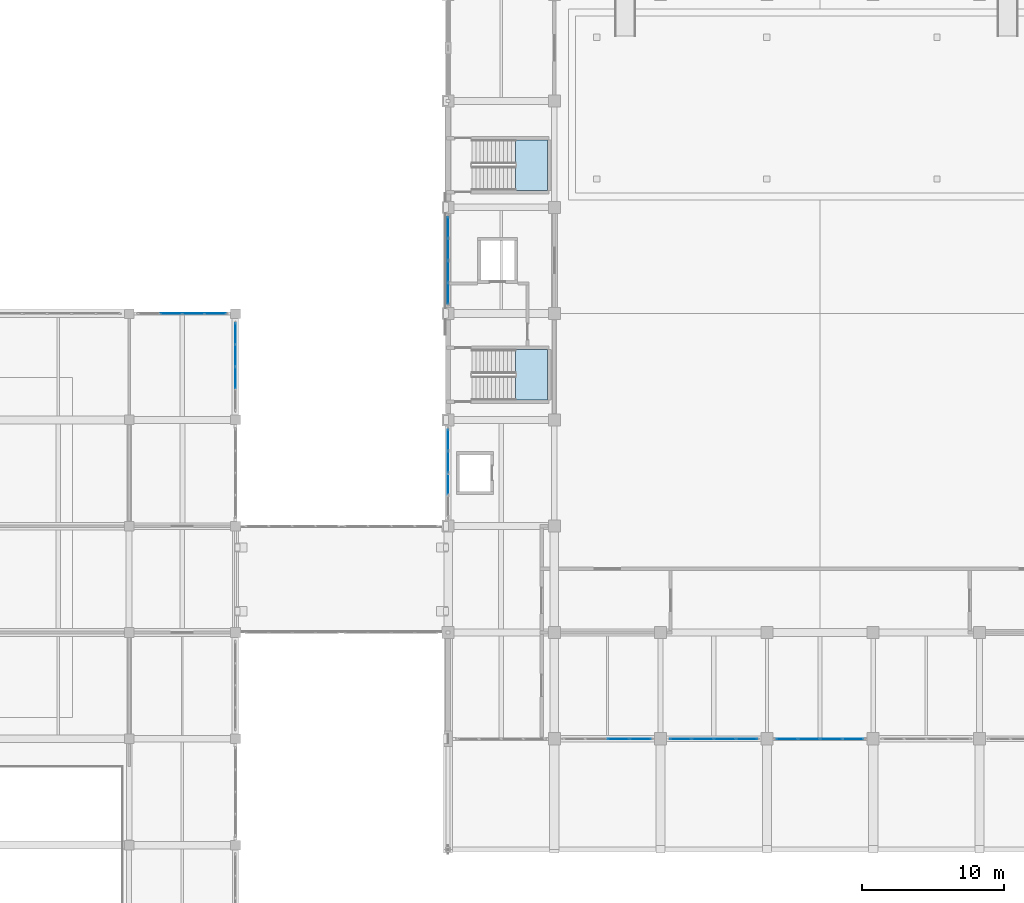
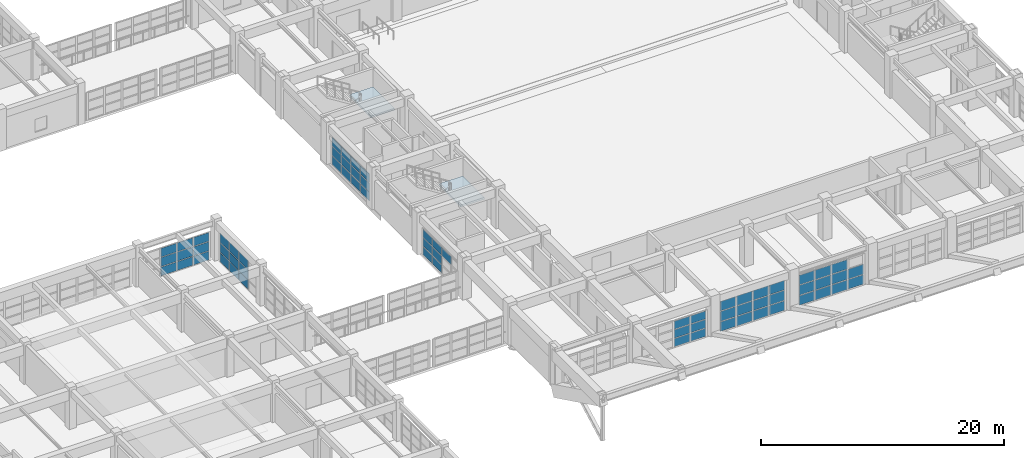
# One storey, part 85 of 132: 66 plates, 2 slabs, 9 elements without a shape of their own.
"""IFC4 building model written with IfcOpenShell, lengths in metres."""

from ifc_helpers import new_model, si_unit, direction, frame, origin, origin_2d, place, context, subcontext, project, spatial, polyline, rectangle, outline, extrude, material, layer, layer_set, type_object, element, aggregate, save


model = new_model("IFC4")

# Units and contexts
model_context = context("Model", 3, precision=1e-05, world=origin(), true_north=direction((0.0, 1.0)))
body_context = subcontext(model_context, "Body", "Model", "MODEL_VIEW")
ifc_project = project(units=[si_unit("LENGTHUNIT", "METRE"), si_unit("AREAUNIT", "SQUARE_METRE"), si_unit("VOLUMEUNIT", "CUBIC_METRE"), si_unit("PLANEANGLEUNIT", "RADIAN"), si_unit("MASSUNIT", "GRAM", prefix="KILO")], contexts=[model_context])

# Site, building, storey
site_placement = place(None, origin())
site = spatial("IfcSite", under=ifc_project, at=site_placement, CompositionType="ELEMENT")
building_placement = place(site_placement, origin())
building = spatial("IfcBuilding", under=site, at=building_placement, Name="Qasida Concert Hall", CompositionType="ELEMENT")
storey_placement = place(building_placement, frame((0.0, 0.0, 4.800048828125)))
storey = spatial("IfcBuildingStorey", under=building, at=storey_placement, Name="L01", CompositionType="ELEMENT", Elevation=4.800048828125)

# Curtain wall, plates
ifc_material_1 = material(Name="Architectural bronze-anodized aluminium and low-E glass", Category="aluminium")
curtain_wall_type_1 = type_object("IfcCurtainWallType", Name="CW-02", PredefinedType="NOTDEFINED", material=ifc_material_1)
curtain_wall_1_placement = place(storey_placement, origin())
curtain_wall_1 = element("IfcCurtainWall", 1, at=curtain_wall_1_placement, inside=storey, type_object=curtain_wall_type_1, Name="L01 curtain wall CW-02 0002", PredefinedType="NOTDEFINED")
ifc_material_2 = material(Name="Solar-control low-E double glazing", Category="glass")
ifc_layer_1 = layer(ifc_material_2, 0.035888671875, Name="Solar-control low-E double glazing")
ifc_layer_set_1 = layer_set([ifc_layer_1], Name="Solar-control low-E double glazing")
plate_type_1 = type_object("IfcPlateType", Name="PLT-CWP-1", PredefinedType="CURTAIN_PANEL", material=ifc_layer_set_1)
plate_1_placement = place(storey_placement, frame((64.532470703125, 22.5, 0.06494140625), z_axis=(0.0, 0.0, 1.0), x_axis=(1.0, 0.0, 0.0)))
plate_1 = element("IfcPlate", 2, at=plate_1_placement, type_object=plate_type_1, Name="CW-02 panel 3.1", PredefinedType="CURTAIN_PANEL", context=body_context, shape_type="SweptSolid", body=[
    extrude(rectangle(XDim=1.4951171875, YDim=0.035888671875, at=origin_2d()), origin(), (0.0, 0.0, 1.0), 0.79931640625),
])
plate_2_placement = place(storey_placement, frame((64.532470703125, 22.5, 0.92919921875), z_axis=(0.0, 0.0, 1.0), x_axis=(1.0, 0.0, 0.0)))
plate_2 = element("IfcPlate", 3, at=plate_2_placement, type_object=plate_type_1, Name="CW-02 panel 3.2", PredefinedType="CURTAIN_PANEL", context=body_context, shape_type="SweptSolid", body=[
    extrude(rectangle(XDim=1.4951171875, YDim=0.035888671875, at=origin_2d()), origin(), (0.0, 0.0, 1.0), 0.83154296875),
])
plate_3_placement = place(storey_placement, frame((64.532470703125, 22.5, 1.82568359375), z_axis=(0.0, 0.0, 1.0), x_axis=(1.0, 0.0, 0.0)))
plate_3 = element("IfcPlate", 4, at=plate_3_placement, type_object=plate_type_1, Name="CW-02 panel 3.3", PredefinedType="CURTAIN_PANEL", context=body_context, shape_type="SweptSolid", body=[
    extrude(rectangle(XDim=1.4951171875, YDim=0.035888671875, at=origin_2d()), origin(), (0.0, 0.0, 1.0), 0.79931640625),
])
plate_4_placement = place(storey_placement, frame((66.080078125, 22.5, 0.06494140625), z_axis=(0.0, 0.0, 1.0), x_axis=(1.0, 0.0, 0.0)))
plate_4 = element("IfcPlate", 5, at=plate_4_placement, type_object=plate_type_1, Name="CW-02 panel 4.1", PredefinedType="CURTAIN_PANEL", context=body_context, shape_type="SweptSolid", body=[
    extrude(rectangle(XDim=1.4599609375, YDim=0.035888671875, at=origin_2d()), origin(), (0.0, 0.0, 1.0), 0.79931640625),
])
plate_5_placement = place(storey_placement, frame((66.080078125, 22.5, 0.92919921875), z_axis=(0.0, 0.0, 1.0), x_axis=(1.0, 0.0, 0.0)))
plate_5 = element("IfcPlate", 6, at=plate_5_placement, type_object=plate_type_1, Name="CW-02 panel 4.2", PredefinedType="CURTAIN_PANEL", context=body_context, shape_type="SweptSolid", body=[
    extrude(rectangle(XDim=1.4599609375, YDim=0.035888671875, at=origin_2d()), origin(), (0.0, 0.0, 1.0), 0.83154296875),
])
plate_6_placement = place(storey_placement, frame((66.080078125, 22.5, 1.82568359375), z_axis=(0.0, 0.0, 1.0), x_axis=(1.0, 0.0, 0.0)))
plate_6 = element("IfcPlate", 7, at=plate_6_placement, type_object=plate_type_1, Name="CW-02 panel 4.3", PredefinedType="CURTAIN_PANEL", context=body_context, shape_type="SweptSolid", body=[
    extrude(rectangle(XDim=1.4599609375, YDim=0.035888671875, at=origin_2d()), origin(), (0.0, 0.0, 1.0), 0.79931640625),
])
aggregate(curtain_wall_1, [plate_1, plate_2, plate_3, plate_4, plate_5, plate_6])

curtain_wall_2_placement = place(storey_placement, origin())
curtain_wall_2 = element("IfcCurtainWall", 8, at=curtain_wall_2_placement, inside=storey, type_object=curtain_wall_type_1, Name="L01 curtain wall CW-02 0003", PredefinedType="NOTDEFINED")
plate_7_placement = place(storey_placement, frame((68.919921875, 22.5, 0.06494140625), z_axis=(0.0, 0.0, 1.0), x_axis=(1.0, 0.0, 0.0)))
plate_7 = element("IfcPlate", 9, at=plate_7_placement, type_object=plate_type_1, Name="CW-02 panel 1.1", PredefinedType="CURTAIN_PANEL", context=body_context, shape_type="SweptSolid", body=[
    extrude(rectangle(XDim=1.4599609375, YDim=0.035888671875, at=origin_2d()), origin(), (0.0, 0.0, 1.0), 0.94921875),
])
plate_8_placement = place(storey_placement, frame((68.919921875, 22.5, 1.0791015625), z_axis=(0.0, 0.0, 1.0), x_axis=(1.0, 0.0, 0.0)))
plate_8 = element("IfcPlate", 10, at=plate_8_placement, type_object=plate_type_1, Name="CW-02 panel 1.2", PredefinedType="CURTAIN_PANEL", context=body_context, shape_type="SweptSolid", body=[
    extrude(rectangle(XDim=1.4599609375, YDim=0.035888671875, at=origin_2d()), origin(), (0.0, 0.0, 1.0), 0.981689453125),
])
plate_9_placement = place(storey_placement, frame((68.919921875, 22.5, 2.125732421875), z_axis=(0.0, 0.0, 1.0), x_axis=(1.0, 0.0, 0.0)))
plate_9 = element("IfcPlate", 11, at=plate_9_placement, type_object=plate_type_1, Name="CW-02 panel 1.3", PredefinedType="CURTAIN_PANEL", context=body_context, shape_type="SweptSolid", body=[
    extrude(rectangle(XDim=1.4599609375, YDim=0.035888671875, at=origin_2d()), origin(), (0.0, 0.0, 1.0), 0.94921875),
])
plate_10_placement = place(storey_placement, frame((70.467529296875, 22.5, 0.06494140625), z_axis=(0.0, 0.0, 1.0), x_axis=(1.0, 0.0, 0.0)))
plate_10 = element("IfcPlate", 12, at=plate_10_placement, type_object=plate_type_1, Name="CW-02 panel 2.1", PredefinedType="CURTAIN_PANEL", context=body_context, shape_type="SweptSolid", body=[
    extrude(rectangle(XDim=1.4951171875, YDim=0.035888671875, at=origin_2d()), origin(), (0.0, 0.0, 1.0), 0.94921875),
])
plate_11_placement = place(storey_placement, frame((70.467529296875, 22.5, 1.0791015625), z_axis=(0.0, 0.0, 1.0), x_axis=(1.0, 0.0, 0.0)))
plate_11 = element("IfcPlate", 13, at=plate_11_placement, type_object=plate_type_1, Name="CW-02 panel 2.2", PredefinedType="CURTAIN_PANEL", context=body_context, shape_type="SweptSolid", body=[
    extrude(rectangle(XDim=1.4951171875, YDim=0.035888671875, at=origin_2d()), origin(), (0.0, 0.0, 1.0), 0.981689453125),
])
plate_12_placement = place(storey_placement, frame((70.467529296875, 22.5, 2.125732421875), z_axis=(0.0, 0.0, 1.0), x_axis=(1.0, 0.0, 0.0)))
plate_12 = element("IfcPlate", 14, at=plate_12_placement, type_object=plate_type_1, Name="CW-02 panel 2.3", PredefinedType="CURTAIN_PANEL", context=body_context, shape_type="SweptSolid", body=[
    extrude(rectangle(XDim=1.4951171875, YDim=0.035888671875, at=origin_2d()), origin(), (0.0, 0.0, 1.0), 0.94921875),
])
plate_13_placement = place(storey_placement, frame((72.032470703125, 22.5, 0.06494140625), z_axis=(0.0, 0.0, 1.0), x_axis=(1.0, 0.0, 0.0)))
plate_13 = element("IfcPlate", 15, at=plate_13_placement, type_object=plate_type_1, Name="CW-02 panel 3.1", PredefinedType="CURTAIN_PANEL", context=body_context, shape_type="SweptSolid", body=[
    extrude(rectangle(XDim=1.4951171875, YDim=0.035888671875, at=origin_2d()), origin(), (0.0, 0.0, 1.0), 0.94921875),
])
plate_14_placement = place(storey_placement, frame((72.032470703125, 22.5, 1.0791015625), z_axis=(0.0, 0.0, 1.0), x_axis=(1.0, 0.0, 0.0)))
plate_14 = element("IfcPlate", 16, at=plate_14_placement, type_object=plate_type_1, Name="CW-02 panel 3.2", PredefinedType="CURTAIN_PANEL", context=body_context, shape_type="SweptSolid", body=[
    extrude(rectangle(XDim=1.4951171875, YDim=0.035888671875, at=origin_2d()), origin(), (0.0, 0.0, 1.0), 0.981689453125),
])
plate_15_placement = place(storey_placement, frame((72.032470703125, 22.5, 2.125732421875), z_axis=(0.0, 0.0, 1.0), x_axis=(1.0, 0.0, 0.0)))
plate_15 = element("IfcPlate", 17, at=plate_15_placement, type_object=plate_type_1, Name="CW-02 panel 3.3", PredefinedType="CURTAIN_PANEL", context=body_context, shape_type="SweptSolid", body=[
    extrude(rectangle(XDim=1.4951171875, YDim=0.035888671875, at=origin_2d()), origin(), (0.0, 0.0, 1.0), 0.94921875),
])
plate_16_placement = place(storey_placement, frame((73.580078125, 22.5, 0.06494140625), z_axis=(0.0, 0.0, 1.0), x_axis=(1.0, 0.0, 0.0)))
plate_16 = element("IfcPlate", 18, at=plate_16_placement, type_object=plate_type_1, Name="CW-02 panel 4.1", PredefinedType="CURTAIN_PANEL", context=body_context, shape_type="SweptSolid", body=[
    extrude(rectangle(XDim=1.4599609375, YDim=0.035888671875, at=origin_2d()), origin(), (0.0, 0.0, 1.0), 0.94921875),
])
plate_17_placement = place(storey_placement, frame((73.580078125, 22.5, 1.0791015625), z_axis=(0.0, 0.0, 1.0), x_axis=(1.0, 0.0, 0.0)))
plate_17 = element("IfcPlate", 19, at=plate_17_placement, type_object=plate_type_1, Name="CW-02 panel 4.2", PredefinedType="CURTAIN_PANEL", context=body_context, shape_type="SweptSolid", body=[
    extrude(rectangle(XDim=1.4599609375, YDim=0.035888671875, at=origin_2d()), origin(), (0.0, 0.0, 1.0), 0.981689453125),
])
plate_18_placement = place(storey_placement, frame((73.580078125, 22.5, 2.125732421875), z_axis=(0.0, 0.0, 1.0), x_axis=(1.0, 0.0, 0.0)))
plate_18 = element("IfcPlate", 20, at=plate_18_placement, type_object=plate_type_1, Name="CW-02 panel 4.3", PredefinedType="CURTAIN_PANEL", context=body_context, shape_type="SweptSolid", body=[
    extrude(rectangle(XDim=1.4599609375, YDim=0.035888671875, at=origin_2d()), origin(), (0.0, 0.0, 1.0), 0.94921875),
])
aggregate(curtain_wall_2, [plate_7, plate_8, plate_9, plate_10, plate_11, plate_12, plate_13, plate_14, plate_15, plate_16, plate_17, plate_18])

curtain_wall_3_placement = place(storey_placement, origin())
curtain_wall_3 = element("IfcCurtainWall", 21, at=curtain_wall_3_placement, inside=storey, type_object=curtain_wall_type_1, Name="L01 curtain wall CW-02 0004", PredefinedType="NOTDEFINED")
plate_19_placement = place(storey_placement, frame((76.419921875, 22.5, 0.06494140625), z_axis=(0.0, 0.0, 1.0), x_axis=(1.0, 0.0, 0.0)))
plate_19 = element("IfcPlate", 22, at=plate_19_placement, type_object=plate_type_1, Name="CW-02 panel 1.1", PredefinedType="CURTAIN_PANEL", context=body_context, shape_type="SweptSolid", body=[
    extrude(rectangle(XDim=1.4599609375, YDim=0.035888671875, at=origin_2d()), origin(), (0.0, 0.0, 1.0), 0.94921875),
])
plate_20_placement = place(storey_placement, frame((76.419921875, 22.5, 1.0791015625), z_axis=(0.0, 0.0, 1.0), x_axis=(1.0, 0.0, 0.0)))
plate_20 = element("IfcPlate", 23, at=plate_20_placement, type_object=plate_type_1, Name="CW-02 panel 1.2", PredefinedType="CURTAIN_PANEL", context=body_context, shape_type="SweptSolid", body=[
    extrude(rectangle(XDim=1.4599609375, YDim=0.035888671875, at=origin_2d()), origin(), (0.0, 0.0, 1.0), 0.981689453125),
])
plate_21_placement = place(storey_placement, frame((76.419921875, 22.5, 2.125732421875), z_axis=(0.0, 0.0, 1.0), x_axis=(1.0, 0.0, 0.0)))
plate_21 = element("IfcPlate", 24, at=plate_21_placement, type_object=plate_type_1, Name="CW-02 panel 1.3", PredefinedType="CURTAIN_PANEL", context=body_context, shape_type="SweptSolid", body=[
    extrude(rectangle(XDim=1.4599609375, YDim=0.035888671875, at=origin_2d()), origin(), (0.0, 0.0, 1.0), 0.94921875),
])
plate_22_placement = place(storey_placement, frame((77.967529296875, 22.5, 0.06494140625), z_axis=(0.0, 0.0, 1.0), x_axis=(1.0, 0.0, 0.0)))
plate_22 = element("IfcPlate", 25, at=plate_22_placement, type_object=plate_type_1, Name="CW-02 panel 2.1", PredefinedType="CURTAIN_PANEL", context=body_context, shape_type="SweptSolid", body=[
    extrude(rectangle(XDim=1.4951171875, YDim=0.035888671875, at=origin_2d()), origin(), (0.0, 0.0, 1.0), 0.94921875),
])
plate_23_placement = place(storey_placement, frame((77.967529296875, 22.5, 1.0791015625), z_axis=(0.0, 0.0, 1.0), x_axis=(1.0, 0.0, 0.0)))
plate_23 = element("IfcPlate", 26, at=plate_23_placement, type_object=plate_type_1, Name="CW-02 panel 2.2", PredefinedType="CURTAIN_PANEL", context=body_context, shape_type="SweptSolid", body=[
    extrude(rectangle(XDim=1.4951171875, YDim=0.035888671875, at=origin_2d()), origin(), (0.0, 0.0, 1.0), 0.981689453125),
])
plate_24_placement = place(storey_placement, frame((77.967529296875, 22.5, 2.125732421875), z_axis=(0.0, 0.0, 1.0), x_axis=(1.0, 0.0, 0.0)))
plate_24 = element("IfcPlate", 27, at=plate_24_placement, type_object=plate_type_1, Name="CW-02 panel 2.3", PredefinedType="CURTAIN_PANEL", context=body_context, shape_type="SweptSolid", body=[
    extrude(rectangle(XDim=1.4951171875, YDim=0.035888671875, at=origin_2d()), origin(), (0.0, 0.0, 1.0), 0.94921875),
])
plate_25_placement = place(storey_placement, frame((79.532470703125, 22.5, 0.06494140625), z_axis=(0.0, 0.0, 1.0), x_axis=(1.0, 0.0, 0.0)))
plate_25 = element("IfcPlate", 28, at=plate_25_placement, type_object=plate_type_1, Name="CW-02 panel 3.1", PredefinedType="CURTAIN_PANEL", context=body_context, shape_type="SweptSolid", body=[
    extrude(rectangle(XDim=1.4951171875, YDim=0.035888671875, at=origin_2d()), origin(), (0.0, 0.0, 1.0), 0.94921875),
])
plate_26_placement = place(storey_placement, frame((79.532470703125, 22.5, 1.0791015625), z_axis=(0.0, 0.0, 1.0), x_axis=(1.0, 0.0, 0.0)))
plate_26 = element("IfcPlate", 29, at=plate_26_placement, type_object=plate_type_1, Name="CW-02 panel 3.2", PredefinedType="CURTAIN_PANEL", context=body_context, shape_type="SweptSolid", body=[
    extrude(rectangle(XDim=1.4951171875, YDim=0.035888671875, at=origin_2d()), origin(), (0.0, 0.0, 1.0), 0.981689453125),
])
plate_27_placement = place(storey_placement, frame((79.532470703125, 22.5, 2.125732421875), z_axis=(0.0, 0.0, 1.0), x_axis=(1.0, 0.0, 0.0)))
plate_27 = element("IfcPlate", 30, at=plate_27_placement, type_object=plate_type_1, Name="CW-02 panel 3.3", PredefinedType="CURTAIN_PANEL", context=body_context, shape_type="SweptSolid", body=[
    extrude(rectangle(XDim=1.4951171875, YDim=0.035888671875, at=origin_2d()), origin(), (0.0, 0.0, 1.0), 0.94921875),
])
plate_28_placement = place(storey_placement, frame((81.080078125, 22.5, 0.06494140625), z_axis=(0.0, 0.0, 1.0), x_axis=(1.0, 0.0, 0.0)))
plate_28 = element("IfcPlate", 31, at=plate_28_placement, type_object=plate_type_1, Name="CW-02 panel 4.1", PredefinedType="CURTAIN_PANEL", context=body_context, shape_type="SweptSolid", body=[
    extrude(rectangle(XDim=1.4599609375, YDim=0.035888671875, at=origin_2d()), origin(), (0.0, 0.0, 1.0), 0.94921875),
])
plate_29_placement = place(storey_placement, frame((81.080078125, 22.5, 1.0791015625), z_axis=(0.0, 0.0, 1.0), x_axis=(1.0, 0.0, 0.0)))
plate_29 = element("IfcPlate", 32, at=plate_29_placement, type_object=plate_type_1, Name="CW-02 panel 4.2", PredefinedType="CURTAIN_PANEL", context=body_context, shape_type="SweptSolid", body=[
    extrude(rectangle(XDim=1.4599609375, YDim=0.035888671875, at=origin_2d()), origin(), (0.0, 0.0, 1.0), 0.981689453125),
])
aggregate(curtain_wall_3, [plate_19, plate_20, plate_21, plate_22, plate_23, plate_24, plate_25, plate_26, plate_27, plate_28, plate_29])

curtain_wall_4_placement = place(storey_placement, origin())
curtain_wall_4 = element("IfcCurtainWall", 33, at=curtain_wall_4_placement, inside=storey, type_object=curtain_wall_type_1, Name="L01 curtain wall CW-02 0042", PredefinedType="NOTDEFINED")
plate_30_placement = place(storey_placement, frame((52.5, 40.467529296875, 1.82568359375), z_axis=(0.0, 0.0, 1.0), x_axis=(0.0, 1.0, 0.0)))
plate_30 = element("IfcPlate", 34, at=plate_30_placement, type_object=plate_type_1, Name="CW-02 panel 2.3", PredefinedType="CURTAIN_PANEL", context=body_context, shape_type="SweptSolid", body=[
    extrude(rectangle(XDim=1.4951171875, YDim=0.035888671875, at=origin_2d()), origin(), (0.0, 0.0, 1.0), 0.79931640625),
])
plate_31_placement = place(storey_placement, frame((52.5, 42.032470703125, 0.06494140625), z_axis=(0.0, 0.0, 1.0), x_axis=(0.0, 1.0, 0.0)))
plate_31 = element("IfcPlate", 35, at=plate_31_placement, type_object=plate_type_1, Name="CW-02 panel 3.1", PredefinedType="CURTAIN_PANEL", context=body_context, shape_type="SweptSolid", body=[
    extrude(rectangle(XDim=1.4951171875, YDim=0.035888671875, at=origin_2d()), origin(), (0.0, 0.0, 1.0), 0.79931640625),
])
plate_32_placement = place(storey_placement, frame((52.5, 42.032470703125, 0.92919921875), z_axis=(0.0, 0.0, 1.0), x_axis=(0.0, 1.0, 0.0)))
plate_32 = element("IfcPlate", 36, at=plate_32_placement, type_object=plate_type_1, Name="CW-02 panel 3.2", PredefinedType="CURTAIN_PANEL", context=body_context, shape_type="SweptSolid", body=[
    extrude(rectangle(XDim=1.4951171875, YDim=0.035888671875, at=origin_2d()), origin(), (0.0, 0.0, 1.0), 0.83154296875),
])
plate_33_placement = place(storey_placement, frame((52.5, 42.032470703125, 1.82568359375), z_axis=(0.0, 0.0, 1.0), x_axis=(0.0, 1.0, 0.0)))
plate_33 = element("IfcPlate", 37, at=plate_33_placement, type_object=plate_type_1, Name="CW-02 panel 3.3", PredefinedType="CURTAIN_PANEL", context=body_context, shape_type="SweptSolid", body=[
    extrude(rectangle(XDim=1.4951171875, YDim=0.035888671875, at=origin_2d()), origin(), (0.0, 0.0, 1.0), 0.79931640625),
])
plate_34_placement = place(storey_placement, frame((52.5, 43.580078125, 0.06494140625), z_axis=(0.0, 0.0, 1.0), x_axis=(0.0, 1.0, 0.0)))
plate_34 = element("IfcPlate", 38, at=plate_34_placement, type_object=plate_type_1, Name="CW-02 panel 4.1", PredefinedType="CURTAIN_PANEL", context=body_context, shape_type="SweptSolid", body=[
    extrude(rectangle(XDim=1.4599609375, YDim=0.035888671875, at=origin_2d()), origin(), (0.0, 0.0, 1.0), 0.79931640625),
])
plate_35_placement = place(storey_placement, frame((52.5, 43.580078125, 0.92919921875), z_axis=(0.0, 0.0, 1.0), x_axis=(0.0, 1.0, 0.0)))
plate_35 = element("IfcPlate", 39, at=plate_35_placement, type_object=plate_type_1, Name="CW-02 panel 4.2", PredefinedType="CURTAIN_PANEL", context=body_context, shape_type="SweptSolid", body=[
    extrude(rectangle(XDim=1.4599609375, YDim=0.035888671875, at=origin_2d()), origin(), (0.0, 0.0, 1.0), 0.83154296875),
])
plate_36_placement = place(storey_placement, frame((52.5, 43.580078125, 1.82568359375), z_axis=(0.0, 0.0, 1.0), x_axis=(0.0, 1.0, 0.0)))
plate_36 = element("IfcPlate", 40, at=plate_36_placement, type_object=plate_type_1, Name="CW-02 panel 4.3", PredefinedType="CURTAIN_PANEL", context=body_context, shape_type="SweptSolid", body=[
    extrude(rectangle(XDim=1.4599609375, YDim=0.035888671875, at=origin_2d()), origin(), (0.0, 0.0, 1.0), 0.79931640625),
])
aggregate(curtain_wall_4, [plate_30, plate_31, plate_32, plate_33, plate_34, plate_35, plate_36])

curtain_wall_5_placement = place(storey_placement, origin())
curtain_wall_5 = element("IfcCurtainWall", 41, at=curtain_wall_5_placement, inside=storey, type_object=curtain_wall_type_1, Name="L01 curtain wall CW-02 0044", PredefinedType="NOTDEFINED")
plate_37_placement = place(storey_placement, frame((52.5, 53.919921875, 0.06494140625), z_axis=(0.0, 0.0, 1.0), x_axis=(0.0, 1.0, 0.0)))
plate_37 = element("IfcPlate", 42, at=plate_37_placement, type_object=plate_type_1, Name="CW-02 panel 1.1", PredefinedType="CURTAIN_PANEL", context=body_context, shape_type="SweptSolid", body=[
    extrude(rectangle(XDim=1.4599609375, YDim=0.035888671875, at=origin_2d()), origin(), (0.0, 0.0, 1.0), 0.84912109375),
])
plate_38_placement = place(storey_placement, frame((52.5, 53.919921875, 0.97900390625), z_axis=(0.0, 0.0, 1.0), x_axis=(0.0, 1.0, 0.0)))
plate_38 = element("IfcPlate", 43, at=plate_38_placement, type_object=plate_type_1, Name="CW-02 panel 1.2", PredefinedType="CURTAIN_PANEL", context=body_context, shape_type="SweptSolid", body=[
    extrude(rectangle(XDim=1.4599609375, YDim=0.035888671875, at=origin_2d()), origin(), (0.0, 0.0, 1.0), 0.881591796875),
])
plate_39_placement = place(storey_placement, frame((52.5, 53.919921875, 1.92578125), z_axis=(0.0, 0.0, 1.0), x_axis=(0.0, 1.0, 0.0)))
plate_39 = element("IfcPlate", 44, at=plate_39_placement, type_object=plate_type_1, Name="CW-02 panel 1.3", PredefinedType="CURTAIN_PANEL", context=body_context, shape_type="SweptSolid", body=[
    extrude(rectangle(XDim=1.4599609375, YDim=0.035888671875, at=origin_2d()), origin(), (0.0, 0.0, 1.0), 0.84912109375),
])
plate_40_placement = place(storey_placement, frame((52.5, 55.467529296875, 0.06494140625), z_axis=(0.0, 0.0, 1.0), x_axis=(0.0, 1.0, 0.0)))
plate_40 = element("IfcPlate", 45, at=plate_40_placement, type_object=plate_type_1, Name="CW-02 panel 2.1", PredefinedType="CURTAIN_PANEL", context=body_context, shape_type="SweptSolid", body=[
    extrude(rectangle(XDim=1.4951171875, YDim=0.035888671875, at=origin_2d()), origin(), (0.0, 0.0, 1.0), 0.84912109375),
])
plate_41_placement = place(storey_placement, frame((52.5, 55.467529296875, 0.97900390625), z_axis=(0.0, 0.0, 1.0), x_axis=(0.0, 1.0, 0.0)))
plate_41 = element("IfcPlate", 46, at=plate_41_placement, type_object=plate_type_1, Name="CW-02 panel 2.2", PredefinedType="CURTAIN_PANEL", context=body_context, shape_type="SweptSolid", body=[
    extrude(rectangle(XDim=1.4951171875, YDim=0.035888671875, at=origin_2d()), origin(), (0.0, 0.0, 1.0), 0.881591796875),
])
plate_42_placement = place(storey_placement, frame((52.5, 55.467529296875, 1.92578125), z_axis=(0.0, 0.0, 1.0), x_axis=(0.0, 1.0, 0.0)))
plate_42 = element("IfcPlate", 47, at=plate_42_placement, type_object=plate_type_1, Name="CW-02 panel 2.3", PredefinedType="CURTAIN_PANEL", context=body_context, shape_type="SweptSolid", body=[
    extrude(rectangle(XDim=1.4951171875, YDim=0.035888671875, at=origin_2d()), origin(), (0.0, 0.0, 1.0), 0.84912109375),
])
plate_43_placement = place(storey_placement, frame((52.5, 57.032470703125, 0.06494140625), z_axis=(0.0, 0.0, 1.0), x_axis=(0.0, 1.0, 0.0)))
plate_43 = element("IfcPlate", 48, at=plate_43_placement, type_object=plate_type_1, Name="CW-02 panel 3.1", PredefinedType="CURTAIN_PANEL", context=body_context, shape_type="SweptSolid", body=[
    extrude(rectangle(XDim=1.4951171875, YDim=0.035888671875, at=origin_2d()), origin(), (0.0, 0.0, 1.0), 0.84912109375),
])
plate_44_placement = place(storey_placement, frame((52.5, 57.032470703125, 0.97900390625), z_axis=(0.0, 0.0, 1.0), x_axis=(0.0, 1.0, 0.0)))
plate_44 = element("IfcPlate", 49, at=plate_44_placement, type_object=plate_type_1, Name="CW-02 panel 3.2", PredefinedType="CURTAIN_PANEL", context=body_context, shape_type="SweptSolid", body=[
    extrude(rectangle(XDim=1.4951171875, YDim=0.035888671875, at=origin_2d()), origin(), (0.0, 0.0, 1.0), 0.881591796875),
])
plate_45_placement = place(storey_placement, frame((52.5, 57.032470703125, 1.92578125), z_axis=(0.0, 0.0, 1.0), x_axis=(0.0, 1.0, 0.0)))
plate_45 = element("IfcPlate", 50, at=plate_45_placement, type_object=plate_type_1, Name="CW-02 panel 3.3", PredefinedType="CURTAIN_PANEL", context=body_context, shape_type="SweptSolid", body=[
    extrude(rectangle(XDim=1.4951171875, YDim=0.035888671875, at=origin_2d()), origin(), (0.0, 0.0, 1.0), 0.84912109375),
])
plate_46_placement = place(storey_placement, frame((52.5, 58.580078125, 0.06494140625), z_axis=(0.0, 0.0, 1.0), x_axis=(0.0, 1.0, 0.0)))
plate_46 = element("IfcPlate", 51, at=plate_46_placement, type_object=plate_type_1, Name="CW-02 panel 4.1", PredefinedType="CURTAIN_PANEL", context=body_context, shape_type="SweptSolid", body=[
    extrude(rectangle(XDim=1.4599609375, YDim=0.035888671875, at=origin_2d()), origin(), (0.0, 0.0, 1.0), 0.84912109375),
])
plate_47_placement = place(storey_placement, frame((52.5, 58.580078125, 0.97900390625), z_axis=(0.0, 0.0, 1.0), x_axis=(0.0, 1.0, 0.0)))
plate_47 = element("IfcPlate", 52, at=plate_47_placement, type_object=plate_type_1, Name="CW-02 panel 4.2", PredefinedType="CURTAIN_PANEL", context=body_context, shape_type="SweptSolid", body=[
    extrude(rectangle(XDim=1.4599609375, YDim=0.035888671875, at=origin_2d()), origin(), (0.0, 0.0, 1.0), 0.881591796875),
])
plate_48_placement = place(storey_placement, frame((52.5, 58.580078125, 1.92578125), z_axis=(0.0, 0.0, 1.0), x_axis=(0.0, 1.0, 0.0)))
plate_48 = element("IfcPlate", 53, at=plate_48_placement, type_object=plate_type_1, Name="CW-02 panel 4.3", PredefinedType="CURTAIN_PANEL", context=body_context, shape_type="SweptSolid", body=[
    extrude(rectangle(XDim=1.4599609375, YDim=0.035888671875, at=origin_2d()), origin(), (0.0, 0.0, 1.0), 0.84912109375),
])
aggregate(curtain_wall_5, [plate_37, plate_38, plate_39, plate_40, plate_41, plate_42, plate_43, plate_44, plate_45, plate_46, plate_47, plate_48])

curtain_wall_type_2 = type_object("IfcCurtainWallType", Name="CW-07", PredefinedType="NOTDEFINED", material=ifc_material_1)
curtain_wall_6_placement = place(storey_placement, origin())
curtain_wall_6 = element("IfcCurtainWall", 54, at=curtain_wall_6_placement, inside=storey, type_object=curtain_wall_type_2, Name="L01 curtain wall CW-07 0090", PredefinedType="NOTDEFINED")
ifc_layer_2 = layer(ifc_material_2, 0.031982421875, Name="Solar-control low-E double glazing")
ifc_layer_set_2 = layer_set([ifc_layer_2], Name="Solar-control low-E double glazing")
plate_type_2 = type_object("IfcPlateType", Name="PLT-CWP-2", PredefinedType="CURTAIN_PANEL", material=ifc_layer_set_2)
plate_49_placement = place(storey_placement, frame((32.967529296875, 52.5, 0.06005859375), z_axis=(0.0, 0.0, 1.0), x_axis=(1.0, 0.0, 0.0)))
plate_49 = element("IfcPlate", 55, at=plate_49_placement, type_object=plate_type_2, Name="CW-07 panel 2.1", PredefinedType="CURTAIN_PANEL", context=body_context, shape_type="SweptSolid", body=[
    extrude(rectangle(XDim=1.5, YDim=0.031982421875, at=origin_2d()), origin(), (0.0, 0.0, 1.0), 0.873291015625),
])
plate_50_placement = place(storey_placement, frame((32.967529296875, 52.5, 0.993408203125), z_axis=(0.0, 0.0, 1.0), x_axis=(1.0, 0.0, 0.0)))
plate_50 = element("IfcPlate", 56, at=plate_50_placement, type_object=plate_type_2, Name="CW-07 panel 2.2", PredefinedType="CURTAIN_PANEL", context=body_context, shape_type="SweptSolid", body=[
    extrude(rectangle(XDim=1.5, YDim=0.031982421875, at=origin_2d()), origin(), (0.0, 0.0, 1.0), 0.9033203125),
])
plate_51_placement = place(storey_placement, frame((32.967529296875, 52.5, 1.95654296875), z_axis=(0.0, 0.0, 1.0), x_axis=(1.0, 0.0, 0.0)))
plate_51 = element("IfcPlate", 57, at=plate_51_placement, type_object=plate_type_2, Name="CW-07 panel 2.3", PredefinedType="CURTAIN_PANEL", context=body_context, shape_type="SweptSolid", body=[
    extrude(rectangle(XDim=1.5, YDim=0.031982421875, at=origin_2d()), origin(), (0.0, 0.0, 1.0), 0.873291015625),
])
plate_52_placement = place(storey_placement, frame((34.532470703125, 52.5, 0.06005859375), z_axis=(0.0, 0.0, 1.0), x_axis=(1.0, 0.0, 0.0)))
plate_52 = element("IfcPlate", 58, at=plate_52_placement, type_object=plate_type_2, Name="CW-07 panel 3.1", PredefinedType="CURTAIN_PANEL", context=body_context, shape_type="SweptSolid", body=[
    extrude(rectangle(XDim=1.5, YDim=0.031982421875, at=origin_2d()), origin(), (0.0, 0.0, 1.0), 0.873291015625),
])
plate_53_placement = place(storey_placement, frame((34.532470703125, 52.5, 0.993408203125), z_axis=(0.0, 0.0, 1.0), x_axis=(1.0, 0.0, 0.0)))
plate_53 = element("IfcPlate", 59, at=plate_53_placement, type_object=plate_type_2, Name="CW-07 panel 3.2", PredefinedType="CURTAIN_PANEL", context=body_context, shape_type="SweptSolid", body=[
    extrude(rectangle(XDim=1.5, YDim=0.031982421875, at=origin_2d()), origin(), (0.0, 0.0, 1.0), 0.9033203125),
])
plate_54_placement = place(storey_placement, frame((34.532470703125, 52.5, 1.95654296875), z_axis=(0.0, 0.0, 1.0), x_axis=(1.0, 0.0, 0.0)))
plate_54 = element("IfcPlate", 60, at=plate_54_placement, type_object=plate_type_2, Name="CW-07 panel 3.3", PredefinedType="CURTAIN_PANEL", context=body_context, shape_type="SweptSolid", body=[
    extrude(rectangle(XDim=1.5, YDim=0.031982421875, at=origin_2d()), origin(), (0.0, 0.0, 1.0), 0.873291015625),
])
plate_55_placement = place(storey_placement, frame((36.081298828125, 52.5, 0.06005859375), z_axis=(0.0, 0.0, 1.0), x_axis=(1.0, 0.0, 0.0)))
plate_55 = element("IfcPlate", 61, at=plate_55_placement, type_object=plate_type_2, Name="CW-07 panel 4.1", PredefinedType="CURTAIN_PANEL", context=body_context, shape_type="SweptSolid", body=[
    extrude(rectangle(XDim=1.467529296875, YDim=0.031982421875, at=origin_2d()), origin(), (0.0, 0.0, 1.0), 0.873291015625),
])
plate_56_placement = place(storey_placement, frame((36.081298828125, 52.5, 0.993408203125), z_axis=(0.0, 0.0, 1.0), x_axis=(1.0, 0.0, 0.0)))
plate_56 = element("IfcPlate", 62, at=plate_56_placement, type_object=plate_type_2, Name="CW-07 panel 4.2", PredefinedType="CURTAIN_PANEL", context=body_context, shape_type="SweptSolid", body=[
    extrude(rectangle(XDim=1.467529296875, YDim=0.031982421875, at=origin_2d()), origin(), (0.0, 0.0, 1.0), 0.9033203125),
])
plate_57_placement = place(storey_placement, frame((36.081298828125, 52.5, 1.95654296875), z_axis=(0.0, 0.0, 1.0), x_axis=(1.0, 0.0, 0.0)))
plate_57 = element("IfcPlate", 63, at=plate_57_placement, type_object=plate_type_2, Name="CW-07 panel 4.3", PredefinedType="CURTAIN_PANEL", context=body_context, shape_type="SweptSolid", body=[
    extrude(rectangle(XDim=1.467529296875, YDim=0.031982421875, at=origin_2d()), origin(), (0.0, 0.0, 1.0), 0.873291015625),
])
aggregate(curtain_wall_6, [plate_49, plate_50, plate_51, plate_52, plate_53, plate_54, plate_55, plate_56, plate_57])

curtain_wall_7_placement = place(storey_placement, origin())
curtain_wall_7 = element("IfcCurtainWall", 64, at=curtain_wall_7_placement, inside=storey, type_object=curtain_wall_type_2, Name="L01 curtain wall CW-07 0098", PredefinedType="NOTDEFINED")
plate_58_placement = place(storey_placement, frame((37.5, 47.967529296875, 0.059814453125), z_axis=(0.0, 0.0, 1.0), x_axis=(0.0, 1.0, 0.0)))
plate_58 = element("IfcPlate", 65, at=plate_58_placement, type_object=plate_type_2, Name="CW-07 panel 2.1", PredefinedType="CURTAIN_PANEL", context=body_context, shape_type="SweptSolid", body=[
    extrude(rectangle(XDim=1.5, YDim=0.031982421875, at=origin_2d()), origin(), (0.0, 0.0, 1.0), 0.90673828125),
])
plate_59_placement = place(storey_placement, frame((37.5, 47.967529296875, 1.026611328125), z_axis=(0.0, 0.0, 1.0), x_axis=(0.0, 1.0, 0.0)))
plate_59 = element("IfcPlate", 66, at=plate_59_placement, type_object=plate_type_2, Name="CW-07 panel 2.2", PredefinedType="CURTAIN_PANEL", context=body_context, shape_type="SweptSolid", body=[
    extrude(rectangle(XDim=1.5, YDim=0.031982421875, at=origin_2d()), origin(), (0.0, 0.0, 1.0), 0.9365234375),
])
plate_60_placement = place(storey_placement, frame((37.5, 47.967529296875, 2.023193359375), z_axis=(0.0, 0.0, 1.0), x_axis=(0.0, 1.0, 0.0)))
plate_60 = element("IfcPlate", 67, at=plate_60_placement, type_object=plate_type_2, Name="CW-07 panel 2.3", PredefinedType="CURTAIN_PANEL", context=body_context, shape_type="SweptSolid", body=[
    extrude(rectangle(XDim=1.5, YDim=0.031982421875, at=origin_2d()), origin(), (0.0, 0.0, 1.0), 0.90673828125),
])
plate_61_placement = place(storey_placement, frame((37.5, 49.532470703125, 0.059814453125), z_axis=(0.0, 0.0, 1.0), x_axis=(0.0, 1.0, 0.0)))
plate_61 = element("IfcPlate", 68, at=plate_61_placement, type_object=plate_type_2, Name="CW-07 panel 3.1", PredefinedType="CURTAIN_PANEL", context=body_context, shape_type="SweptSolid", body=[
    extrude(rectangle(XDim=1.5, YDim=0.031982421875, at=origin_2d()), origin(), (0.0, 0.0, 1.0), 0.90673828125),
])
plate_62_placement = place(storey_placement, frame((37.5, 49.532470703125, 1.026611328125), z_axis=(0.0, 0.0, 1.0), x_axis=(0.0, 1.0, 0.0)))
plate_62 = element("IfcPlate", 69, at=plate_62_placement, type_object=plate_type_2, Name="CW-07 panel 3.2", PredefinedType="CURTAIN_PANEL", context=body_context, shape_type="SweptSolid", body=[
    extrude(rectangle(XDim=1.5, YDim=0.031982421875, at=origin_2d()), origin(), (0.0, 0.0, 1.0), 0.9365234375),
])
plate_63_placement = place(storey_placement, frame((37.5, 49.532470703125, 2.023193359375), z_axis=(0.0, 0.0, 1.0), x_axis=(0.0, 1.0, 0.0)))
plate_63 = element("IfcPlate", 70, at=plate_63_placement, type_object=plate_type_2, Name="CW-07 panel 3.3", PredefinedType="CURTAIN_PANEL", context=body_context, shape_type="SweptSolid", body=[
    extrude(rectangle(XDim=1.5, YDim=0.031982421875, at=origin_2d()), origin(), (0.0, 0.0, 1.0), 0.90673828125),
])
plate_64_placement = place(storey_placement, frame((37.5, 51.081298828125, 0.059814453125), z_axis=(0.0, 0.0, 1.0), x_axis=(0.0, 1.0, 0.0)))
plate_64 = element("IfcPlate", 71, at=plate_64_placement, type_object=plate_type_2, Name="CW-07 panel 4.1", PredefinedType="CURTAIN_PANEL", context=body_context, shape_type="SweptSolid", body=[
    extrude(rectangle(XDim=1.467529296875, YDim=0.031982421875, at=origin_2d()), origin(), (0.0, 0.0, 1.0), 0.90673828125),
])
plate_65_placement = place(storey_placement, frame((37.5, 51.081298828125, 1.026611328125), z_axis=(0.0, 0.0, 1.0), x_axis=(0.0, 1.0, 0.0)))
plate_65 = element("IfcPlate", 72, at=plate_65_placement, type_object=plate_type_2, Name="CW-07 panel 4.2", PredefinedType="CURTAIN_PANEL", context=body_context, shape_type="SweptSolid", body=[
    extrude(rectangle(XDim=1.467529296875, YDim=0.031982421875, at=origin_2d()), origin(), (0.0, 0.0, 1.0), 0.9365234375),
])
plate_66_placement = place(storey_placement, frame((37.5, 51.081298828125, 2.023193359375), z_axis=(0.0, 0.0, 1.0), x_axis=(0.0, 1.0, 0.0)))
plate_66 = element("IfcPlate", 73, at=plate_66_placement, type_object=plate_type_2, Name="CW-07 panel 4.3", PredefinedType="CURTAIN_PANEL", context=body_context, shape_type="SweptSolid", body=[
    extrude(rectangle(XDim=1.467529296875, YDim=0.031982421875, at=origin_2d()), origin(), (0.0, 0.0, 1.0), 0.90673828125),
])
aggregate(curtain_wall_7, [plate_58, plate_59, plate_60, plate_61, plate_62, plate_63, plate_64, plate_65, plate_66])

# Stair, slab
ifc_material_3 = material(Name="Concrete C40/50", Category="concrete")
stair_type = type_object("IfcStairType", Name="ST-DL-168", PredefinedType="HALF_TURN_STAIR", material=ifc_material_3)
stair_1_placement = place(storey_placement, origin())
stair_1 = element("IfcStair", 74, at=stair_1_placement, inside=storey, type_object=stair_type, Name="L01 Exit stair ST-01", PredefinedType="HALF_TURN_STAIR")
ifc_layer_3 = layer(ifc_material_3, 0.199951171875, Name="Concrete C40/50")
ifc_layer_set_3 = layer_set([ifc_layer_3], Name="Concrete C40/50")
slab_type = type_object("IfcSlabType", Name="SL-LND-200", PredefinedType="LANDING", material=ifc_layer_set_3)
slab_1_placement = place(storey_placement, frame((0.0, 0.0, 1.89990234375)))
slab_1 = element("IfcSlab", 75, at=slab_1_placement, type_object=slab_type, Name="ST-01 landing 1", PredefinedType="LANDING", context=body_context, shape_type="SweptSolid", body=[
    extrude(outline(polyline([(57.260009765625, 46.39990234375), (59.52001953125, 46.39990234375), (59.52001953125, 49.9599609375), (57.260009765625, 49.9599609375), (57.260009765625, 46.39990234375)])), origin(), (0.0, 0.0, 1.0), 0.199951171875),
])
aggregate(stair_1, [slab_1])

stair_2_placement = place(storey_placement, origin())
stair_2 = element("IfcStair", 76, at=stair_2_placement, inside=storey, type_object=stair_type, Name="L01 Exit stair ST-11", PredefinedType="HALF_TURN_STAIR")
slab_2_placement = place(storey_placement, frame((0.0, 0.0, 1.89990234375)))
slab_2 = element("IfcSlab", 77, at=slab_2_placement, type_object=slab_type, Name="ST-11 landing 1", PredefinedType="LANDING", context=body_context, shape_type="SweptSolid", body=[
    extrude(outline(polyline([(57.260009765625, 61.199951171875), (59.52001953125, 61.199951171875), (59.52001953125, 64.760009765625), (57.260009765625, 64.760009765625), (57.260009765625, 61.199951171875)])), origin(), (0.0, 0.0, 1.0), 0.199951171875),
])
aggregate(stair_2, [slab_2])

save(model, "model.ifc")
